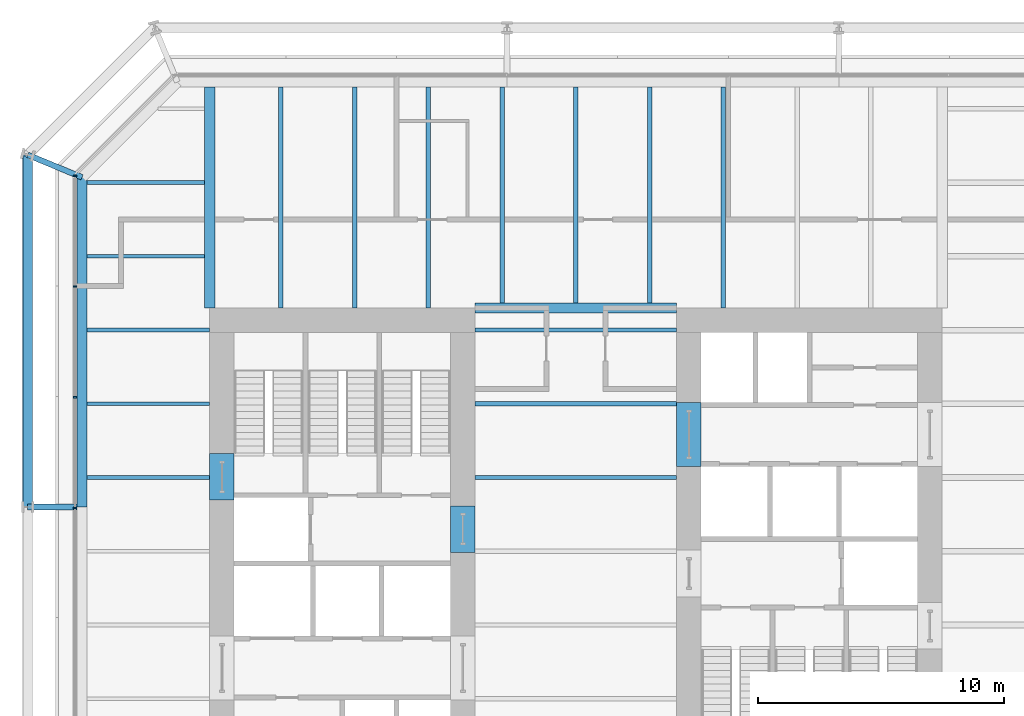
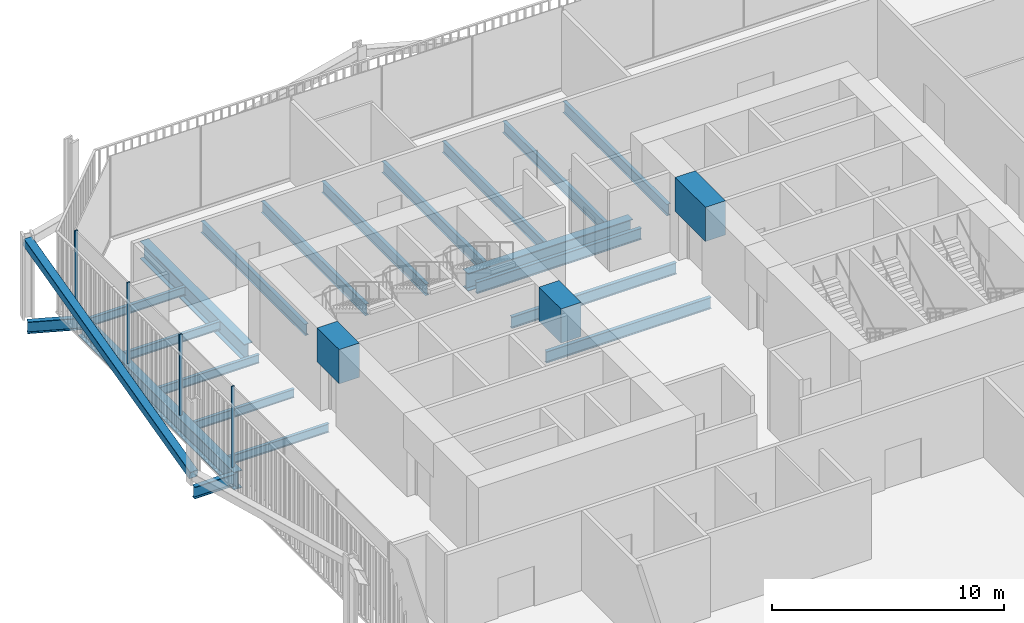
# One storey, part 11 of 21: 23 beams, 5 members, 1 element without a shape of its own.
"""IFC4 building model written with IfcOpenShell, lengths in metres."""

from ifc_helpers import new_model, si_unit, direction, frame, origin, origin_2d, place, context, subcontext, project, spatial, rectangle, hollow_rectangle, i_section, extrude, material, layer, layer_set, material_profile, profile_set, type_object, element, aggregate, save


model = new_model("IFC4")

# Units and contexts
model_context = context("Model", 3, precision=1e-05, world=origin(), true_north=direction((0.0, 1.0)))
body_context = subcontext(model_context, "Body", "Model", "MODEL_VIEW")
ifc_project = project(units=[si_unit("LENGTHUNIT", "METRE"), si_unit("AREAUNIT", "SQUARE_METRE"), si_unit("VOLUMEUNIT", "CUBIC_METRE"), si_unit("PLANEANGLEUNIT", "RADIAN"), si_unit("MASSUNIT", "GRAM", prefix="KILO")], contexts=[model_context])

# Site, building, storey
site_placement = place(None, origin())
site = spatial("IfcSite", under=ifc_project, at=site_placement, CompositionType="ELEMENT")
building_placement = place(site_placement, origin())
building = spatial("IfcBuilding", under=site, at=building_placement, Name="Millrace Tower", CompositionType="ELEMENT")
storey_placement = place(building_placement, frame((0.0, 0.0, 90.800048828125)))
storey = spatial("IfcBuildingStorey", under=building, at=storey_placement, Name="L20", CompositionType="ELEMENT", Elevation=90.800048828125)

# Curtain wall, members
ifc_material_1 = material(Name="Aluminium and glass", Category="aluminium")
ifc_layer = layer(ifc_material_1, 0.14990234375)
ifc_layer_set = layer_set([ifc_layer], Name="Aluminium and glass")
curtain_wall_type = type_object("IfcCurtainWallType", Name="CW-3 telecom floor curtain wall", PredefinedType="NOTDEFINED", material=ifc_layer_set)
curtain_wall_placement = place(storey_placement, origin())
curtain_wall = element("IfcCurtainWall", 1, at=curtain_wall_placement, inside=storey, type_object=curtain_wall_type, Name="Curtain wall B-F08 L20", PredefinedType="NOTDEFINED")
ifc_material_2 = material(Name="Aluminium", Category="aluminium")
ifc_material_profile_1 = material_profile(ifc_material_2, rectangle(XDim=0.06494140625, YDim=0.14990234375, at=origin_2d()))
ifc_profile_set_1 = profile_set([ifc_material_profile_1], Name="Aluminium")
member_type_1 = type_object("IfcMemberType", Name="CW-3 telecom floor curtain wall mullion", PredefinedType="MULLION", material=ifc_profile_set_1)
member_1_placement = place(storey_placement, frame((-20.375, 15.267578125, 0.14990234375), z_axis=(0.0, 0.0, 1.0), x_axis=(0.0, -1.0, 0.0)))
member_1 = element("IfcMember", 2, at=member_1_placement, type_object=member_type_1, Name="CW3 mullion B-F08.1", PredefinedType="MULLION", context=body_context, shape_type="SweptSolid", body=[
    extrude(rectangle(XDim=0.06494140625, YDim=0.14990234375, at=origin_2d()), origin(), (0.0, 0.0, 1.0), 4.25),
])
member_2_placement = place(storey_placement, frame((-20.375, 10.767578125, 0.14990234375), z_axis=(0.0, 0.0, 1.0), x_axis=(0.0, -1.0, 0.0)))
member_2 = element("IfcMember", 3, at=member_2_placement, type_object=member_type_1, Name="CW3 mullion B-F08.2", PredefinedType="MULLION", context=body_context, shape_type="SweptSolid", body=[
    extrude(rectangle(XDim=0.06494140625, YDim=0.14990234375, at=origin_2d()), origin(), (0.0, 0.0, 1.0), 4.25),
])
member_3_placement = place(storey_placement, frame((-20.375, 6.267578125, 0.14990234375), z_axis=(0.0, 0.0, 1.0), x_axis=(0.0, -1.0, 0.0)))
member_3 = element("IfcMember", 4, at=member_3_placement, type_object=member_type_1, Name="CW3 mullion B-F08.3", PredefinedType="MULLION", context=body_context, shape_type="SweptSolid", body=[
    extrude(rectangle(XDim=0.06494140625, YDim=0.14990234375, at=origin_2d()), origin(), (0.0, 0.0, 1.0), 4.25),
])
member_4_placement = place(storey_placement, frame((-20.375, 1.767578125, 0.14990234375), z_axis=(0.0, 0.0, 1.0), x_axis=(0.0, -1.0, 0.0)))
member_4 = element("IfcMember", 5, at=member_4_placement, type_object=member_type_1, Name="CW3 mullion B-F08.4", PredefinedType="MULLION", context=body_context, shape_type="SweptSolid", body=[
    extrude(rectangle(XDim=0.06494140625, YDim=0.14990234375, at=origin_2d()), origin(), (0.0, 0.0, 1.0), 4.25),
])
aggregate(curtain_wall, [member_1, member_2, member_3, member_4])

# Beams
ifc_material_3 = material(Name="Concrete C80", Category="concrete")
ifc_material_profile_2 = material_profile(ifc_material_3, rectangle(XDim=1.0, YDim=1.800048828125, at=origin_2d()))
ifc_profile_set_2 = profile_set([ifc_material_profile_2], Name="Concrete C80")
beam_type_1 = type_object("IfcBeamType", Name="Coupling beam 1000 x 1800 Concrete C80, 1300 opening", PredefinedType="BEAM", material=ifc_profile_set_2)
beam_1_placement = place(storey_placement, frame((-14.39990234375, 2.080078125, 3.300048828125), z_axis=(0.0, 1.0, 0.0), x_axis=(-1.0, 0.0, 0.0)))
element("IfcBeam", 6, at=beam_1_placement, inside=storey, type_object=beam_type_1, Name="Coupling beam W L20", PredefinedType="BEAM", context=body_context, shape_type="SweptSolid", body=[
    extrude(rectangle(XDim=1.0, YDim=1.800048828125, at=origin_2d()), origin(), (0.0, 0.0, 1.0), 1.89990234375),
])
beam_2_placement = place(storey_placement, frame((-4.60009765625, -0.050048828125, 3.300048828125), z_axis=(0.0, 1.0, 0.0), x_axis=(-1.0, 0.0, 0.0)))
element("IfcBeam", 7, at=beam_2_placement, inside=storey, type_object=beam_type_1, Name="Coupling beam W L20", PredefinedType="BEAM", context=body_context, shape_type="SweptSolid", body=[
    extrude(rectangle(XDim=1.0, YDim=1.800048828125, at=origin_2d()), origin(), (0.0, 0.0, 1.0), 1.900146484375),
])
ifc_material_4 = material(Name="Concrete C80", Category="concrete")
ifc_material_profile_3 = material_profile(ifc_material_4, rectangle(XDim=1.0, YDim=1.800048828125, at=origin_2d()))
ifc_profile_set_3 = profile_set([ifc_material_profile_3], Name="Concrete C80")
beam_type_2 = type_object("IfcBeamType", Name="Coupling beam 1000 x 1800 Concrete C80, 2000 opening", PredefinedType="BEAM", material=ifc_profile_set_3)
beam_3_placement = place(storey_placement, frame((4.60009765625, 6.050048828125, 3.300048828125), z_axis=(0.0, -1.0, 0.0), x_axis=(1.0, 0.0, 0.0)))
element("IfcBeam", 8, at=beam_3_placement, inside=storey, type_object=beam_type_2, Name="Coupling beam E L20", PredefinedType="BEAM", context=body_context, shape_type="SweptSolid", body=[
    extrude(rectangle(XDim=1.0, YDim=1.800048828125, at=origin_2d()), origin(), (0.0, 0.0, 1.0), 2.60009765625),
])

# Member
ifc_material_5 = material(Name="Steel ASTM A500 Grade C", Category="steel")
ifc_material_profile_4 = material_profile(ifc_material_5, hollow_rectangle(XDim=0.406494140625, YDim=0.406494140625, WallThickness=0.015869140625, InnerFilletRadius=0.008056640625, OuterFilletRadius=0.02392578125, at=origin_2d()))
ifc_profile_set_4 = profile_set([ifc_material_profile_4], Name="Steel ASTM A500 Grade C")
member_type_2 = type_object("IfcMemberType", Name="Exoskeleton brace HSS16x16x5/8", PredefinedType="BRACE", material=ifc_profile_set_4)
member_5_placement = place(storey_placement, frame((-22.300048828125, 1.800048828125, 0.39990234375), z_axis=(0.0, 0.969855058964, 0.243682507787), x_axis=(-1.0, 0.0, 0.0)))
element("IfcMember", 9, at=member_5_placement, inside=storey, type_object=member_type_2, Name="BRC-B-L20-14", PredefinedType="BRACE", context=body_context, shape_type="SweptSolid", body=[
    extrude(hollow_rectangle(XDim=0.406494140625, YDim=0.406494140625, WallThickness=0.015869140625, InnerFilletRadius=0.008056640625, OuterFilletRadius=0.02392578125, at=origin_2d()), origin(), (0.0, 0.0, 1.0), 14.773681640625),
])

# Beams
ifc_material_6 = material(Name="Steel ASTM A992 Grade 50", Category="steel")
ifc_material_profile_5 = material_profile(ifc_material_6, i_section(OverallWidth=0.15234375, OverallDepth=0.449462890625, WebThickness=0.007568359375, FlangeThickness=0.0107421875, FilletRadius=0.01025390625, at=origin_2d()))
ifc_profile_set_5 = profile_set([ifc_material_profile_5], Name="Steel ASTM A992 Grade 50")
beam_type_3 = type_object("IfcBeamType", Name="Floor beam W18x35", PredefinedType="JOIST", material=ifc_profile_set_5)
for number, where, z_axis, x_axis, name in (
    (10, (-19.880859375, 3.0, -0.4248046875), (1.0, 0.0, 0.0), (0.0, 1.0, 0.0), "BM-B-L20-S1-S026"),
    (11, (-19.880859375, 6.0, -0.4248046875), (1.0, 0.0, 0.0), (0.0, 1.0, 0.0), "BM-B-L20-S1-S029"),
    (12, (-19.880859375, 9.0, -0.4248046875), (1.0, 0.0, 0.0), (0.0, 1.0, 0.0), "BM-B-L20-S1-S032"),
):
    element("IfcBeam", number, at=place(storey_placement, frame(where, z_axis=z_axis, x_axis=x_axis)), inside=storey, type_object=beam_type_3, Name=name, PredefinedType="JOIST", context=body_context, shape_type="SweptSolid", body=[
        extrude(i_section(OverallWidth=0.15234375, OverallDepth=0.449462890625, WebThickness=0.007568359375, FlangeThickness=0.0107421875, FilletRadius=0.01025390625, at=origin_2d()), origin(), (0.0, 0.0, 1.0), 4.98095703125),
    ])
for number, where, z_axis, x_axis, name in (
    (13, (-19.880859375, 12.0, -0.4248046875), (1.0, 0.0, 0.0), (0.0, 1.0, 0.0), "BM-B-L20-S1-S034"),
    (14, (-19.880859375, 15.0, -0.4248046875), (1.0, 0.0, 0.0), (0.0, 1.0, 0.0), "BM-B-L20-S1-S036"),
):
    element("IfcBeam", number, at=place(storey_placement, frame(where, z_axis=z_axis, x_axis=x_axis)), inside=storey, type_object=beam_type_3, Name=name, PredefinedType="JOIST", context=body_context, shape_type="SweptSolid", body=[
        extrude(i_section(OverallWidth=0.15234375, OverallDepth=0.449462890625, WebThickness=0.007568359375, FlangeThickness=0.0107421875, FilletRadius=0.01025390625, at=origin_2d()), origin(), (0.0, 0.0, 1.0), 4.77001953125),
    ])
ifc_material_7 = material(Name="Steel ASTM A992 Grade 50", Category="steel")
ifc_material_profile_6 = material_profile(ifc_material_7, i_section(OverallWidth=0.177978515625, OverallDepth=0.599365234375, WebThickness=0.010009765625, FlangeThickness=0.012939453125, FilletRadius=0.012939453125, at=origin_2d()))
ifc_profile_set_6 = profile_set([ifc_material_profile_6], Name="Steel ASTM A992 Grade 50")
beam_type_4 = type_object("IfcBeamType", Name="Floor beam W24x55", PredefinedType="JOIST", material=ifc_profile_set_6)
for number, where, z_axis, x_axis, name in (
    (15, (-4.10009765625, 3.0, -0.499755859375), (1.0, 0.0, 0.0), (0.0, 1.0, 0.0), "BM-B-L20-S1-S025"),
    (16, (-4.10009765625, 6.0, -0.499755859375), (1.0, 0.0, 0.0), (0.0, 1.0, 0.0), "BM-B-L20-S1-S028"),
    (17, (-4.10009765625, 9.0, -0.499755859375), (1.0, 0.0, 0.0), (0.0, 1.0, 0.0), "BM-B-L20-S1-S031"),
):
    element("IfcBeam", number, at=place(storey_placement, frame(where, z_axis=z_axis, x_axis=x_axis)), inside=storey, type_object=beam_type_4, Name=name, PredefinedType="JOIST", context=body_context, shape_type="SweptSolid", body=[
        extrude(i_section(OverallWidth=0.177978515625, OverallDepth=0.599365234375, WebThickness=0.010009765625, FlangeThickness=0.012939453125, FilletRadius=0.012939453125, at=origin_2d()), origin(), (0.0, 0.0, 1.0), 8.2001953125),
    ])
for number, where, z_axis, x_axis, name in (
    (18, (-12.0, 9.89990234375, -0.499755859375), (0.0, 1.0, 0.0), (-1.0, 0.0, 0.0), "BM-B-L20-S1-S040"),
    (19, (-9.0, 9.89990234375, -0.499755859375), (0.0, 1.0, 0.0), (-1.0, 0.0, 0.0), "BM-B-L20-S1-S042"),
    (20, (-6.0, 9.89990234375, -0.499755859375), (0.0, 1.0, 0.0), (-1.0, 0.0, 0.0), "BM-B-L20-S1-S044"),
):
    element("IfcBeam", number, at=place(storey_placement, frame(where, z_axis=z_axis, x_axis=x_axis)), inside=storey, type_object=beam_type_4, Name=name, PredefinedType="JOIST", context=body_context, shape_type="SweptSolid", body=[
        extrude(i_section(OverallWidth=0.177978515625, OverallDepth=0.599365234375, WebThickness=0.010009765625, FlangeThickness=0.012939453125, FilletRadius=0.012939453125, at=origin_2d()), origin(), (0.0, 0.0, 1.0), 8.98095703125),
    ])
for number, where, z_axis, x_axis, name in (
    (21, (-3.0, 10.11083984375, -0.499755859375), (0.0, 1.0, 0.0), (-1.0, 0.0, 0.0), "BM-B-L20-S1-S046"),
    (22, (0.0, 10.11083984375, -0.499755859375), (0.0, 1.0, 0.0), (-1.0, 0.0, 0.0), "BM-B-L20-S1-S048"),
    (23, (3.0, 10.11083984375, -0.499755859375), (0.0, 1.0, 0.0), (-1.0, 0.0, 0.0), "BM-B-L20-S1-S050"),
):
    element("IfcBeam", number, at=place(storey_placement, frame(where, z_axis=z_axis, x_axis=x_axis)), inside=storey, type_object=beam_type_4, Name=name, PredefinedType="JOIST", context=body_context, shape_type="SweptSolid", body=[
        extrude(i_section(OverallWidth=0.177978515625, OverallDepth=0.599365234375, WebThickness=0.010009765625, FlangeThickness=0.012939453125, FilletRadius=0.012939453125, at=origin_2d()), origin(), (0.0, 0.0, 1.0), 8.77001953125),
    ])
beam_4_placement = place(storey_placement, frame((6.0, 9.89990234375, -0.499755859375), z_axis=(0.0, 1.0, 0.0), x_axis=(-1.0, 0.0, 0.0)))
element("IfcBeam", 24, at=beam_4_placement, inside=storey, type_object=beam_type_4, Name="BM-B-L20-S1-S052", PredefinedType="JOIST", context=body_context, shape_type="SweptSolid", body=[
    extrude(i_section(OverallWidth=0.177978515625, OverallDepth=0.599365234375, WebThickness=0.010009765625, FlangeThickness=0.012939453125, FilletRadius=0.012939453125, at=origin_2d()), origin(), (0.0, 0.0, 1.0), 8.98095703125),
])
ifc_material_8 = material(Name="Steel ASTM A992 Grade 50", Category="steel")
ifc_material_profile_7 = material_profile(ifc_material_8, i_section(OverallWidth=0.421630859375, OverallDepth=0.937255859375, WebThickness=0.021240234375, FlangeThickness=0.03662109375, FilletRadius=0.024169921875, at=origin_2d()))
ifc_profile_set_7 = profile_set([ifc_material_profile_7], Name="Steel ASTM A992 Grade 50")
beam_type_5 = type_object("IfcBeamType", Name="Girder short span W36x262", PredefinedType="BEAM", material=ifc_profile_set_7)
beam_5_placement = place(storey_placement, frame((-14.89990234375, 9.89990234375, -0.668701171875), z_axis=(0.0, 1.0, 0.0), x_axis=(-1.0, 0.0, 0.0)))
element("IfcBeam", 25, at=beam_5_placement, inside=storey, type_object=beam_type_5, Name="BM-B-L20-S1-G058", PredefinedType="BEAM", context=body_context, shape_type="SweptSolid", body=[
    extrude(i_section(OverallWidth=0.421630859375, OverallDepth=0.937255859375, WebThickness=0.021240234375, FlangeThickness=0.03662109375, FilletRadius=0.024169921875, at=origin_2d()), origin(), (0.0, 0.0, 1.0), 8.98095703125),
])
beam_6_placement = place(storey_placement, frame((-4.10009765625, 9.89990234375, -0.668701171875), z_axis=(1.0, 0.0, 0.0), x_axis=(0.0, 1.0, 0.0)))
element("IfcBeam", 26, at=beam_6_placement, inside=storey, type_object=beam_type_5, Name="BM-B-L20-S1-G062", PredefinedType="BEAM", context=body_context, shape_type="SweptSolid", body=[
    extrude(i_section(OverallWidth=0.421630859375, OverallDepth=0.937255859375, WebThickness=0.021240234375, FlangeThickness=0.03662109375, FilletRadius=0.024169921875, at=origin_2d()), origin(), (0.0, 0.0, 1.0), 8.2001953125),
])
ifc_material_9 = material(Name="Steel ASTM A992 Grade 50", Category="steel")
ifc_material_profile_8 = material_profile(ifc_material_9, i_section(OverallWidth=0.23046875, OverallDepth=0.6171875, WebThickness=0.01318359375, FlangeThickness=0.022216796875, FilletRadius=0.012939453125, at=origin_2d()))
ifc_profile_set_8 = profile_set([ifc_material_profile_8], Name="Steel ASTM A992 Grade 50")
beam_type_6 = type_object("IfcBeamType", Name="Link beam W24x94", PredefinedType="BEAM", material=ifc_profile_set_8)
beam_7_placement = place(storey_placement, frame((-20.300048828125, 1.800048828125, -0.508544921875), z_axis=(-1.0, 0.0, 0.0), x_axis=(0.0, -1.0, 0.0)))
element("IfcBeam", 27, at=beam_7_placement, inside=storey, type_object=beam_type_6, Name="LNK-B-L20-S1-03", PredefinedType="BEAM", context=body_context, shape_type="SweptSolid", body=[
    extrude(i_section(OverallWidth=0.23046875, OverallDepth=0.6171875, WebThickness=0.01318359375, FlangeThickness=0.022216796875, FilletRadius=0.012939453125, at=origin_2d()), origin(), (0.0, 0.0, 1.0), 2.0),
])
beam_8_placement = place(storey_placement, frame((-20.09033203125, 15.213134765625, -0.508544921875), z_axis=(-0.923881226989, 0.382679341507, 0.0), x_axis=(-0.382679341507, -0.923881226989, 0.0)))
element("IfcBeam", 28, at=beam_8_placement, inside=storey, type_object=beam_type_6, Name="LNK-B-L20-S1-04", PredefinedType="BEAM", context=body_context, shape_type="SweptSolid", body=[
    extrude(i_section(OverallWidth=0.23046875, OverallDepth=0.6171875, WebThickness=0.01318359375, FlangeThickness=0.022216796875, FilletRadius=0.012939453125, at=origin_2d()), origin(), (0.0, 0.0, 1.0), 2.391845703125),
])
ifc_material_10 = material(Name="Steel ASTM A992 Grade 50", Category="steel")
ifc_material_profile_9 = material_profile(ifc_material_10, i_section(OverallWidth=0.419189453125, OverallDepth=0.927001953125, WebThickness=0.019287109375, FlangeThickness=0.031982421875, FilletRadius=0.024169921875, at=origin_2d()))
ifc_profile_set_9 = profile_set([ifc_material_profile_9], Name="Steel ASTM A992 Grade 50")
beam_type_7 = type_object("IfcBeamType", Name="Ring beam medium span W36x231", PredefinedType="SPANDREL", material=ifc_profile_set_9)
beam_9_placement = place(storey_placement, frame((-20.09033203125, 1.800048828125, -0.66357421875), z_axis=(0.0, 1.0, 0.0), x_axis=(-1.0, 0.0, 0.0)))
element("IfcBeam", 29, at=beam_9_placement, inside=storey, type_object=beam_type_7, Name="RNG-B-L20-S1-03", PredefinedType="SPANDREL", context=body_context, shape_type="SweptSolid", body=[
    extrude(i_section(OverallWidth=0.419189453125, OverallDepth=0.927001953125, WebThickness=0.019287109375, FlangeThickness=0.031982421875, FilletRadius=0.024169921875, at=origin_2d()), origin(), (0.0, 0.0, 1.0), 13.4130859375),
])

save(model, "model.ifc")
